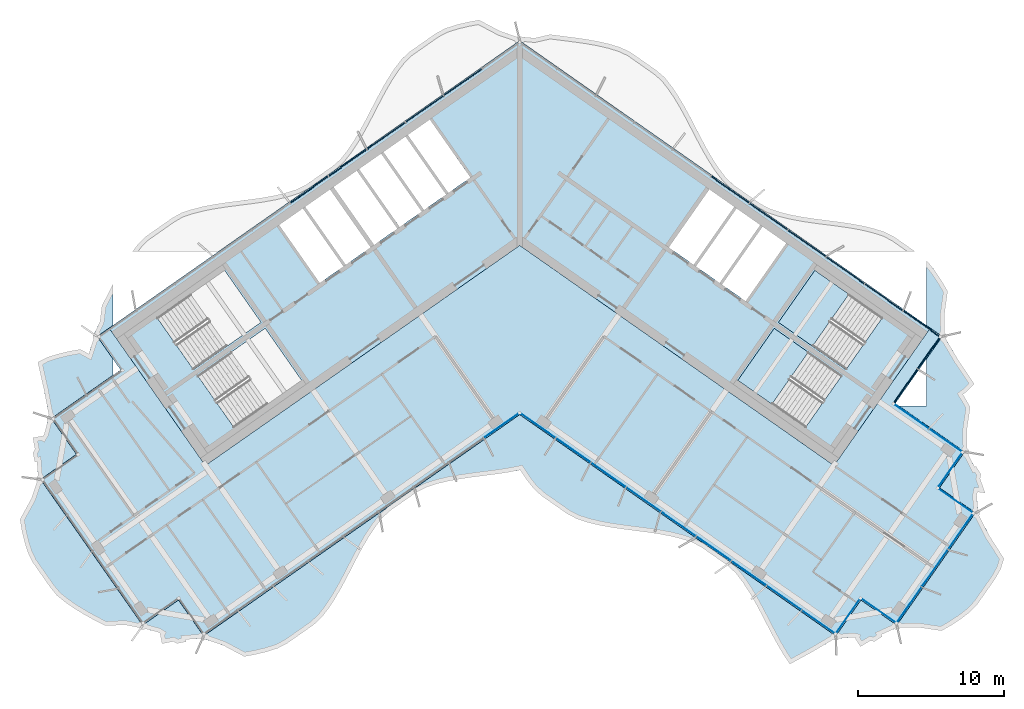
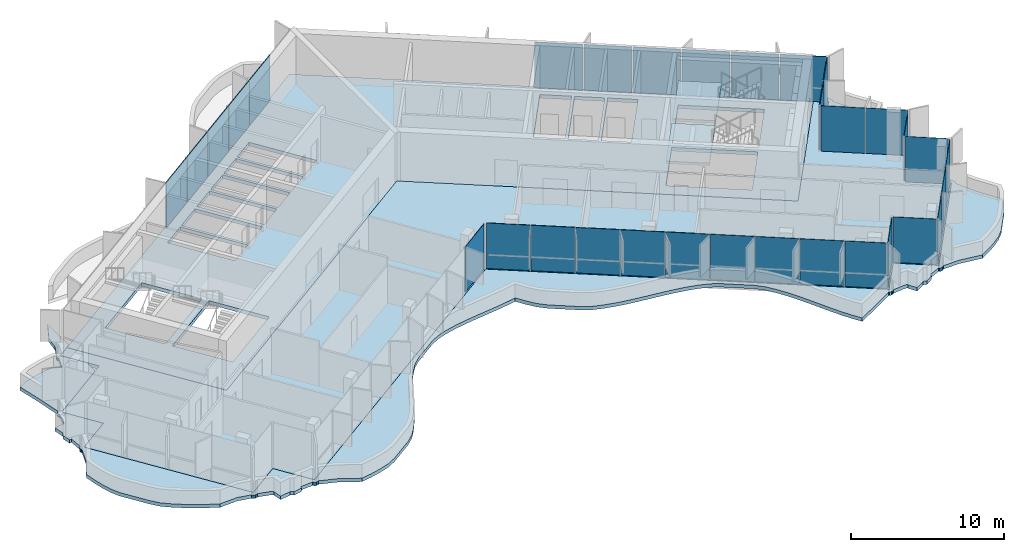
# One storey, part 8 of 18: 32 plates, 5 slabs, 4 elements without a shape of their own.
"""IFC4 building model written with IfcOpenShell, lengths in metres."""

import ifcopenshell
import ifcopenshell.guid

model = None  # the IFC model being written
_history = None  # IfcOwnerHistory: only IFC2X3 demands one
_inside = {}  # id of a spatial element -> (the spatial element, [elements in it])
_under = {}  # id of a project, library or spatial element -> (it, [spatial elements below it])
_declared = {}  # id of a project -> (the project, [libraries it declares])
_typed = {}  # id of a type object -> (the type object, [elements of that type])
_made_of = {}  # id of a material, layer set ... -> (it, [elements and type objects made of it])


def new_model(schema):
    """Start an empty IFC model of exactly this schema.

    Asked for "IFC4X3", IfcOpenShell would pick the latest addendum, in which some entities
    have other attributes; the version numbers below select the first issue.
    IFC2X3 requires an IfcOwnerHistory on every rooted entity: one is made here for all.
    """
    global model, _history
    if schema == "IFC4X3":
        model = ifcopenshell.file(schema_version=(4, 3, 0, 0))
    else:
        model = ifcopenshell.file(schema=schema)
    _inside.clear()
    _under.clear()
    _declared.clear()
    _typed.clear()
    _made_of.clear()
    _history = None
    if model.schema == "IFC2X3":
        org = make("IfcOrganization", Name="unknown")
        user = make(
            "IfcPersonAndOrganization",
            ThePerson=make("IfcPerson", FamilyName="unknown"),
            TheOrganization=org,
        )
        app = make(
            "IfcApplication",
            ApplicationDeveloper=org,
            Version="unknown",
            ApplicationFullName="unknown",
            ApplicationIdentifier="unknown",
        )
        _history = make(
            "IfcOwnerHistory",
            OwningUser=user,
            OwningApplication=app,
            ChangeAction="ADDED",
            CreationDate=0,
        )
    return model


def make(cls, **values):
    """One entity of the class cls with the attributes given. An attribute that is None is left unset."""
    return model.create_entity(
        cls, **{name: value for name, value in values.items() if value is not None}
    )


def rooted(cls, **values):
    """An entity with a GlobalId (a new one), such as an element, a storey or a relation."""
    return make(cls, GlobalId=ifcopenshell.guid.new(), OwnerHistory=_history, **values)


def si_unit(unit_type, name, prefix=None):
    """IfcSIUnit, for example si_unit("LENGTHUNIT", "METRE", prefix="MILLI")."""
    return make("IfcSIUnit", UnitType=unit_type, Prefix=prefix, Name=name)


def assignment(units):
    """IfcUnitAssignment: the units of a project."""
    return None if units is None else make("IfcUnitAssignment", Units=units)


def point(xyz):
    """IfcCartesianPoint."""
    return None if xyz is None else make("IfcCartesianPoint", Coordinates=xyz)


def direction(xyz):
    """IfcDirection."""
    return None if xyz is None else make("IfcDirection", DirectionRatios=xyz)


def frame(location, z_axis=None, x_axis=None):
    """IfcAxis2Placement3D, a coordinate frame: its origin and axes. An axis left out is left unset."""
    return make(
        "IfcAxis2Placement3D",
        Location=point(location),
        Axis=direction(z_axis),
        RefDirection=direction(x_axis),
    )


def frame_2d(location, x_axis=None):
    """IfcAxis2Placement2D, a coordinate frame in the plane: its origin and x axis."""
    return make(
        "IfcAxis2Placement2D", Location=point(location), RefDirection=direction(x_axis)
    )


def origin():
    """The frame at (0, 0, 0) with its axes left unset."""
    return frame((0.0, 0.0, 0.0))


def origin_2d():
    """The frame at (0, 0) in the plane with its x axis left unset."""
    return frame_2d((0.0, 0.0))


def place(relative_to, where):
    """IfcLocalPlacement: puts the frame where relative to a parent placement (None: the world)."""
    return make(
        "IfcLocalPlacement", PlacementRelTo=relative_to, RelativePlacement=where
    )


def context(
    kind, dimensions, precision=None, world=None, true_north=None, identifier=None
):
    """IfcGeometricRepresentationContext, for example the 3D "Model" context."""
    return make(
        "IfcGeometricRepresentationContext",
        ContextIdentifier=identifier,
        ContextType=kind,
        CoordinateSpaceDimension=dimensions,
        Precision=precision,
        WorldCoordinateSystem=world,
        TrueNorth=true_north,
    )


def subcontext(parent, identifier, kind, view, scale=None):
    """IfcGeometricRepresentationSubContext, for example "Body" below "Model"."""
    return make(
        "IfcGeometricRepresentationSubContext",
        ContextIdentifier=identifier,
        ContextType=kind,
        ParentContext=parent,
        TargetScale=scale,
        TargetView=view,
    )


def project(units=None, contexts=None):
    """IfcProject with its units and contexts."""
    return rooted(
        "IfcProject",
        Name="project",
        RepresentationContexts=contexts,
        UnitsInContext=assignment(units),
    )


def spatial(cls, under=None, at=None, **own):
    """A site, building, storey or space (cls), placed at a placement, below another one or the project."""
    s = rooted(cls, ObjectPlacement=at, **own)
    if under is not None:
        _under.setdefault(under.id(), (under, []))[1].append(s)
    return s


def polyline(points):
    """IfcPolyline through the points."""
    return make("IfcPolyline", Points=[point(p) for p in points])


def profile(cls, at=None, kind="AREA", **sizes):
    """A parametric profile (cls). Its sizes go by their IFC names, for example OverallWidth=200.0."""
    return make(cls, ProfileType=kind, Position=at, **sizes)


def rectangle(**sizes):
    """IfcRectangleProfileDef."""
    return profile("IfcRectangleProfileDef", **sizes)


def outline(outer, holes=None, kind="AREA"):
    """IfcArbitraryClosedProfileDef: a profile drawn as a closed curve; with holes, ...WithVoids."""
    if holes is None:
        return make("IfcArbitraryClosedProfileDef", ProfileType=kind, OuterCurve=outer)
    return make(
        "IfcArbitraryProfileDefWithVoids",
        ProfileType=kind,
        OuterCurve=outer,
        InnerCurves=holes,
    )


def extrude(swept, where, along, depth):
    """IfcExtrudedAreaSolid: the profile swept, set in the frame where, extruded along a direction by depth."""
    return make(
        "IfcExtrudedAreaSolid",
        SweptArea=swept,
        Position=where,
        ExtrudedDirection=direction(along),
        Depth=depth,
    )


def shape(context_of_items, identifier, shape_type, items):
    """IfcShapeRepresentation: the items that make up one representation, for example the "Body"."""
    return make(
        "IfcShapeRepresentation",
        ContextOfItems=context_of_items,
        RepresentationIdentifier=identifier,
        RepresentationType=shape_type,
        Items=items,
    )


def material(Name=None, Category=None):
    """IfcMaterial."""
    return make("IfcMaterial", Name=Name, Category=Category)


def layer(
    of_material, thickness, ventilated=None, Name=None, Category=None, Priority=None
):
    """IfcMaterialLayer: one layer of a wall or slab, of a material (None: an air gap)."""
    return make(
        "IfcMaterialLayer",
        Material=of_material,
        LayerThickness=thickness,
        IsVentilated=ventilated,
        Name=Name,
        Category=Category,
        Priority=Priority,
    )


def layer_set(layers, Name=None):
    """IfcMaterialLayerSet."""
    return make("IfcMaterialLayerSet", MaterialLayers=layers, LayerSetName=Name)


def made_of(thing, what):
    """Note that an element or type object is made of a material, layer set ...; save() writes the relation."""
    if what is not None:
        _made_of.setdefault(what.id(), (what, []))[1].append(thing)
    return thing


def type_object(cls, material=None, **own):
    """A type object (cls), such as IfcWallType, which elements share."""
    return made_of(rooted(cls, **own), material)


def element(
    cls,
    number,
    at=None,
    inside=None,
    cuts=None,
    type_object=None,
    material=None,
    context=None,
    identifier="Body",
    shape_type=None,
    held_by="IfcProductDefinitionShape",
    body=None,
    shapes=None,
    **own,
):
    """One element of the class cls, such as IfcWall. Its Tag is "e" and its number.

    at: its placement. inside: the storey or other place that contains it. cuts: it is an
    opening in that element (IfcRelVoidsElement). A single representation is given by context,
    identifier, shape_type and body (its items); several are given by shapes. held_by: the class
    of the entity that holds the representations. save() writes the other relations.
    """
    e = rooted(cls, Tag="e%d" % number, ObjectPlacement=at, **own)
    if body is not None:
        shapes = [shape(context, identifier, shape_type, body)]
    if shapes is not None:
        e.Representation = make(held_by, Representations=shapes)
    if inside is not None:
        _inside.setdefault(inside.id(), (inside, []))[1].append(e)
    if cuts is not None:
        rooted(
            "IfcRelVoidsElement", RelatingBuildingElement=cuts, RelatedOpeningElement=e
        )
    if type_object is not None:
        _typed.setdefault(type_object.id(), (type_object, []))[1].append(e)
    return made_of(e, material)


def aggregate(whole, parts):
    """IfcRelAggregates: a whole, such as a stair, and the parts it consists of."""
    return rooted("IfcRelAggregates", RelatingObject=whole, RelatedObjects=parts)


def save(model, path):
    """Write the relations noted so far, then the file.

    IfcRelAggregates (storeys below a building ...), IfcRelContainedInSpatialStructure (elements
    in a storey), IfcRelDefinesByType, IfcRelAssociatesMaterial and IfcRelDeclares: one each for
    every whole, place, type object, material and project.
    """
    for whole, parts in _under.values():
        aggregate(whole, parts)
    for where, things in _inside.values():
        rooted(
            "IfcRelContainedInSpatialStructure",
            RelatedElements=things,
            RelatingStructure=where,
        )
    for kind, things in _typed.values():
        rooted("IfcRelDefinesByType", RelatedObjects=things, RelatingType=kind)
    for what, things in _made_of.values():
        rooted("IfcRelAssociatesMaterial", RelatedObjects=things, RelatingMaterial=what)
    for by, libraries in _declared.values():
        rooted("IfcRelDeclares", RelatingContext=by, RelatedDefinitions=libraries)
    model.write(path)


model = new_model("IFC4")

# Units and contexts
model_context = context("Model", 3, precision=1e-05, world=origin(), true_north=direction((0.0, 1.0)))
body_context = subcontext(model_context, "Body", "Model", "MODEL_VIEW")
ifc_project = project(units=[si_unit("LENGTHUNIT", "METRE"), si_unit("AREAUNIT", "SQUARE_METRE"), si_unit("VOLUMEUNIT", "CUBIC_METRE"), si_unit("PLANEANGLEUNIT", "RADIAN"), si_unit("MASSUNIT", "GRAM", prefix="KILO")], contexts=[model_context])

# Site, building, storey
site_placement = place(None, origin())
site = spatial("IfcSite", under=ifc_project, at=site_placement, CompositionType="ELEMENT")
building_placement = place(site_placement, origin())
building = spatial("IfcBuilding", under=site, at=building_placement, Name="Tel Ilan Convention Tower", CompositionType="ELEMENT")
storey_placement = place(building_placement, frame((0.0, 0.0, 264.39990234375)))
storey = spatial("IfcBuildingStorey", under=building, at=storey_placement, Name="L62", CompositionType="ELEMENT", Elevation=264.39990234375)

# Curtain wall, plates
ifc_material_1 = material(Name="Aluminium, bronze anodised", Category="aluminium")
curtain_wall_type_1 = type_object("IfcCurtainWallType", Name="CW2 STICK CURTAIN WALL, SPANDREL PANELS", PredefinedType="NOTDEFINED", material=ifc_material_1)
curtain_wall_1_placement = place(storey_placement, origin())
curtain_wall_1 = element("IfcCurtainWall", 1, at=curtain_wall_1_placement, inside=storey, type_object=curtain_wall_type_1, Name="Curtain wall CW2-47.01", PredefinedType="NOTDEFINED")
ifc_material_2 = material(Name="Aluminium composite panel, bronze anodised", Category="aluminium")
ifc_layer_1 = layer(ifc_material_2, 0.06005859375)
ifc_layer_set_1 = layer_set([ifc_layer_1], Name="CW SPANDREL PANEL 60")
plate_type_1 = type_object("IfcPlateType", Name="CW SPANDREL PANEL 60", PredefinedType="CURTAIN_PANEL", material=ifc_layer_set_1)
plate_1_placement = place(storey_placement, frame((26.45947265625, -10.85400390625, 0.0), z_axis=(0.0, 0.0, 1.0), x_axis=(0.573576436351, 0.819152044289, 0.0)))
plate_1 = element("IfcPlate", 2, at=plate_1_placement, type_object=plate_type_1, Name="Spandrel panel", PredefinedType="CURTAIN_PANEL", context=body_context, shape_type="SweptSolid", body=[
    extrude(rectangle(XDim=2.76904296875, YDim=0.06005859375, at=origin_2d()), origin(), (0.0, 0.0, 1.0), 3.6201171875),
])
plate_2_placement = place(storey_placement, frame((28.042236328125, -8.593505859375, 0.0), z_axis=(0.0, 0.0, 1.0), x_axis=(0.573576436351, 0.819152044289, 0.0)))
plate_2 = element("IfcPlate", 3, at=plate_2_placement, type_object=plate_type_1, Name="Spandrel panel", PredefinedType="CURTAIN_PANEL", context=body_context, shape_type="SweptSolid", body=[
    extrude(rectangle(XDim=2.6298828125, YDim=0.06005859375, at=origin_2d()), origin(), (0.0, 0.0, 1.0), 3.6201171875),
])
plate_3_placement = place(storey_placement, frame((27.5400390625, -6.587646484375, 0.0), z_axis=(0.0, 0.0, 1.0), x_axis=(-0.819152044289, 0.573576436351, 0.0)))
plate_3 = element("IfcPlate", 4, at=plate_3_placement, type_object=plate_type_1, Name="Spandrel panel", PredefinedType="CURTAIN_PANEL", context=body_context, shape_type="SweptSolid", body=[
    extrude(rectangle(XDim=3.0439453125, YDim=0.06005859375, at=origin_2d()), origin(), (0.0, 0.0, 1.0), 3.6201171875),
])
plate_4_placement = place(storey_placement, frame((24.95263671875, -4.77587890625, 0.0), z_axis=(0.0, 0.0, 1.0), x_axis=(-0.819152044289, 0.573576436351, 0.0)))
plate_4 = element("IfcPlate", 5, at=plate_4_placement, type_object=plate_type_1, Name="Spandrel panel", PredefinedType="CURTAIN_PANEL", context=body_context, shape_type="SweptSolid", body=[
    extrude(rectangle(XDim=3.15380859375, YDim=0.06005859375, at=origin_2d()), origin(), (0.0, 0.0, 1.0), 3.6201171875),
])
plate_5_placement = place(storey_placement, frame((22.31982421875, -2.9326171875, 0.0), z_axis=(0.0, 0.0, 1.0), x_axis=(-0.819152044289, 0.573576436351, 0.0)))
plate_5 = element("IfcPlate", 6, at=plate_5_placement, type_object=plate_type_1, Name="Spandrel panel", PredefinedType="CURTAIN_PANEL", context=body_context, shape_type="SweptSolid", body=[
    extrude(rectangle(XDim=3.15380859375, YDim=0.06005859375, at=origin_2d()), origin(), (0.0, 0.0, 1.0), 3.6201171875),
])
plate_6_placement = place(storey_placement, frame((19.687255859375, -1.089111328125, 0.0), z_axis=(0.0, 0.0, 1.0), x_axis=(-0.819152044289, 0.573576436351, 0.0)))
plate_6 = element("IfcPlate", 7, at=plate_6_placement, type_object=plate_type_1, Name="Spandrel panel", PredefinedType="CURTAIN_PANEL", context=body_context, shape_type="SweptSolid", body=[
    extrude(rectangle(XDim=3.15380859375, YDim=0.06005859375, at=origin_2d()), origin(), (0.0, 0.0, 1.0), 3.6201171875),
])
plate_7_placement = place(storey_placement, frame((17.0546875, 0.754150390625, 0.0), z_axis=(0.0, 0.0, 1.0), x_axis=(-0.819152044289, 0.573576436351, 0.0)))
plate_7 = element("IfcPlate", 8, at=plate_7_placement, type_object=plate_type_1, Name="Spandrel panel", PredefinedType="CURTAIN_PANEL", context=body_context, shape_type="SweptSolid", body=[
    extrude(rectangle(XDim=3.15380859375, YDim=0.06005859375, at=origin_2d()), origin(), (0.0, 0.0, 1.0), 3.6201171875),
])
plate_8_placement = place(storey_placement, frame((14.422119140625, 2.59765625, 0.0), z_axis=(0.0, 0.0, 1.0), x_axis=(-0.819152044289, 0.573576436351, 0.0)))
plate_8 = element("IfcPlate", 9, at=plate_8_placement, type_object=plate_type_1, Name="Spandrel panel", PredefinedType="CURTAIN_PANEL", context=body_context, shape_type="SweptSolid", body=[
    extrude(rectangle(XDim=3.15380859375, YDim=0.06005859375, at=origin_2d()), origin(), (0.0, 0.0, 1.0), 3.6201171875),
])
plate_9_placement = place(storey_placement, frame((-3.8916015625, 9.97119140625, 0.0), z_axis=(0.0, 0.0, 1.0), x_axis=(-0.819152044289, -0.573576436351, 0.0)))
plate_9 = element("IfcPlate", 10, at=plate_9_placement, type_object=plate_type_1, Name="Spandrel panel", PredefinedType="CURTAIN_PANEL", context=body_context, shape_type="SweptSolid", body=[
    extrude(rectangle(XDim=3.15380859375, YDim=0.06005859375, at=origin_2d()), origin(), (0.0, 0.0, 1.0), 3.6201171875),
])
plate_10_placement = place(storey_placement, frame((-6.524169921875, 8.127685546875, 0.0), z_axis=(0.0, 0.0, 1.0), x_axis=(-0.819152044289, -0.573576436351, 0.0)))
plate_10 = element("IfcPlate", 11, at=plate_10_placement, type_object=plate_type_1, Name="Spandrel panel", PredefinedType="CURTAIN_PANEL", context=body_context, shape_type="SweptSolid", body=[
    extrude(rectangle(XDim=3.15380859375, YDim=0.06005859375, at=origin_2d()), origin(), (0.0, 0.0, 1.0), 3.6201171875),
])
plate_11_placement = place(storey_placement, frame((-9.15673828125, 6.284423828125, 0.0), z_axis=(0.0, 0.0, 1.0), x_axis=(-0.819152044289, -0.573576436351, 0.0)))
plate_11 = element("IfcPlate", 12, at=plate_11_placement, type_object=plate_type_1, Name="Spandrel panel", PredefinedType="CURTAIN_PANEL", context=body_context, shape_type="SweptSolid", body=[
    extrude(rectangle(XDim=3.15380859375, YDim=0.06005859375, at=origin_2d()), origin(), (0.0, 0.0, 1.0), 3.6201171875),
])
plate_12_placement = place(storey_placement, frame((-11.789306640625, 4.44091796875, 0.0), z_axis=(0.0, 0.0, 1.0), x_axis=(-0.819152044289, -0.573576436351, 0.0)))
plate_12 = element("IfcPlate", 13, at=plate_12_placement, type_object=plate_type_1, Name="Spandrel panel", PredefinedType="CURTAIN_PANEL", context=body_context, shape_type="SweptSolid", body=[
    extrude(rectangle(XDim=3.15380859375, YDim=0.06005859375, at=origin_2d()), origin(), (0.0, 0.0, 1.0), 3.6201171875),
])
plate_13_placement = place(storey_placement, frame((-14.422119140625, 2.59765625, 0.0), z_axis=(0.0, 0.0, 1.0), x_axis=(-0.819152044289, -0.573576436351, 0.0)))
plate_13 = element("IfcPlate", 14, at=plate_13_placement, type_object=plate_type_1, Name="Spandrel panel", PredefinedType="CURTAIN_PANEL", context=body_context, shape_type="SweptSolid", body=[
    extrude(rectangle(XDim=3.15380859375, YDim=0.06005859375, at=origin_2d()), origin(), (0.0, 0.0, 1.0), 3.6201171875),
])
aggregate(curtain_wall_1, [plate_1, plate_2, plate_3, plate_4, plate_5, plate_6, plate_7, plate_8, plate_9, plate_10, plate_11, plate_12, plate_13])

ifc_material_3 = material(Name="Aluminium, bronze anodised", Category="aluminium")
curtain_wall_type_2 = type_object("IfcCurtainWallType", Name="CW5 STICK CURTAIN WALL, UPPER OFFICE LOW-IRON TINTED GLASS", PredefinedType="NOTDEFINED", material=ifc_material_3)
curtain_wall_2_placement = place(storey_placement, origin())
curtain_wall_2 = element("IfcCurtainWall", 15, at=curtain_wall_2_placement, inside=storey, type_object=curtain_wall_type_2, Name="Curtain wall CW5-47.02", PredefinedType="NOTDEFINED")
ifc_material_4 = material(Name="Glass, low-iron bronze tinted, two-ply", Category="glass")
ifc_layer_2 = layer(ifc_material_4, 0.031982421875)
ifc_layer_set_2 = layer_set([ifc_layer_2], Name="CW UPPER GLASS PANEL 32")
plate_type_2 = type_object("IfcPlateType", Name="CW UPPER GLASS PANEL 32", PredefinedType="CURTAIN_PANEL", material=ifc_layer_set_2)
plate_14_placement = place(storey_placement, frame((-1.261474609375, -13.579345703125, 0.0), z_axis=(0.0, 0.0, 1.0), x_axis=(0.819152044289, 0.573576436351, 0.0)))
plate_14 = element("IfcPlate", 16, at=plate_14_placement, type_object=plate_type_2, Name="Glass panel", PredefinedType="CURTAIN_PANEL", context=body_context, shape_type="SweptSolid", body=[
    extrude(rectangle(XDim=2.877685546875, YDim=0.028076171875, at=origin_2d()), origin(), (0.0, 0.0, 1.0), 3.6201171875),
])
plate_15_placement = place(storey_placement, frame((1.27294921875, -13.58740234375, 0.0), z_axis=(0.0, 0.0, 1.0), x_axis=(0.819152044289, -0.573576436351, 0.0)))
plate_15 = element("IfcPlate", 17, at=plate_15_placement, type_object=plate_type_2, Name="Glass panel", PredefinedType="CURTAIN_PANEL", context=body_context, shape_type="SweptSolid", body=[
    extrude(rectangle(XDim=2.849609375, YDim=0.028076171875, at=origin_2d()), origin(), (0.0, 0.0, 1.0), 3.6201171875),
])
plate_16_placement = place(storey_placement, frame((3.668212890625, -15.264404296875, 0.0), z_axis=(0.0, 0.0, 1.0), x_axis=(0.819152044289, -0.573576436351, 0.0)))
plate_16 = element("IfcPlate", 18, at=plate_16_placement, type_object=plate_type_2, Name="Glass panel", PredefinedType="CURTAIN_PANEL", context=body_context, shape_type="SweptSolid", body=[
    extrude(rectangle(XDim=2.878662109375, YDim=0.028076171875, at=origin_2d()), origin(), (0.0, 0.0, 1.0), 3.6201171875),
])
plate_17_placement = place(storey_placement, frame((6.075439453125, -16.949951171875, 0.0), z_axis=(0.0, 0.0, 1.0), x_axis=(0.819152044289, -0.573576436351, 0.0)))
plate_17 = element("IfcPlate", 19, at=plate_17_placement, type_object=plate_type_2, Name="Glass panel", PredefinedType="CURTAIN_PANEL", context=body_context, shape_type="SweptSolid", body=[
    extrude(rectangle(XDim=2.878662109375, YDim=0.028076171875, at=origin_2d()), origin(), (0.0, 0.0, 1.0), 3.6201171875),
])
plate_18_placement = place(storey_placement, frame((8.482666015625, -18.635498046875, 0.0), z_axis=(0.0, 0.0, 1.0), x_axis=(0.819152044289, -0.573576436351, 0.0)))
plate_18 = element("IfcPlate", 20, at=plate_18_placement, type_object=plate_type_2, Name="Glass panel", PredefinedType="CURTAIN_PANEL", context=body_context, shape_type="SweptSolid", body=[
    extrude(rectangle(XDim=2.878662109375, YDim=0.028076171875, at=origin_2d()), origin(), (0.0, 0.0, 1.0), 3.6201171875),
])
plate_19_placement = place(storey_placement, frame((10.8896484375, -20.321044921875, 0.0), z_axis=(0.0, 0.0, 1.0), x_axis=(0.819152044289, -0.573576436351, 0.0)))
plate_19 = element("IfcPlate", 21, at=plate_19_placement, type_object=plate_type_2, Name="Glass panel", PredefinedType="CURTAIN_PANEL", context=body_context, shape_type="SweptSolid", body=[
    extrude(rectangle(XDim=2.878662109375, YDim=0.028076171875, at=origin_2d()), origin(), (0.0, 0.0, 1.0), 3.6201171875),
])
plate_20_placement = place(storey_placement, frame((13.296875, -22.006591796875, 0.0), z_axis=(0.0, 0.0, 1.0), x_axis=(0.819152044289, -0.573576436351, 0.0)))
plate_20 = element("IfcPlate", 22, at=plate_20_placement, type_object=plate_type_2, Name="Glass panel", PredefinedType="CURTAIN_PANEL", context=body_context, shape_type="SweptSolid", body=[
    extrude(rectangle(XDim=2.878662109375, YDim=0.028076171875, at=origin_2d()), origin(), (0.0, 0.0, 1.0), 3.6201171875),
])
plate_21_placement = place(storey_placement, frame((15.7041015625, -23.692138671875, 0.0), z_axis=(0.0, 0.0, 1.0), x_axis=(0.819152044289, -0.573576436351, 0.0)))
plate_21 = element("IfcPlate", 23, at=plate_21_placement, type_object=plate_type_2, Name="Glass panel", PredefinedType="CURTAIN_PANEL", context=body_context, shape_type="SweptSolid", body=[
    extrude(rectangle(XDim=2.878662109375, YDim=0.028076171875, at=origin_2d()), origin(), (0.0, 0.0, 1.0), 3.6201171875),
])
plate_22_placement = place(storey_placement, frame((18.111328125, -25.377685546875, 0.0), z_axis=(0.0, 0.0, 1.0), x_axis=(0.819152044289, -0.573576436351, 0.0)))
plate_22 = element("IfcPlate", 24, at=plate_22_placement, type_object=plate_type_2, Name="Glass panel", PredefinedType="CURTAIN_PANEL", context=body_context, shape_type="SweptSolid", body=[
    extrude(rectangle(XDim=2.878662109375, YDim=0.028076171875, at=origin_2d()), origin(), (0.0, 0.0, 1.0), 3.6201171875),
])
plate_23_placement = place(storey_placement, frame((20.47998046875, -27.036376953125, 0.0), z_axis=(0.0, 0.0, 1.0), x_axis=(0.819152044289, -0.573576436351, 0.0)))
plate_23 = element("IfcPlate", 25, at=plate_23_placement, type_object=plate_type_2, Name="Glass panel", PredefinedType="CURTAIN_PANEL", context=body_context, shape_type="SweptSolid", body=[
    extrude(rectangle(XDim=2.78466796875, YDim=0.028076171875, at=origin_2d()), origin(), (0.0, 0.0, 1.0), 3.6201171875),
])
plate_24_placement = place(storey_placement, frame((22.478515625, -26.651611328125, 0.0), z_axis=(0.0, 0.0, 1.0), x_axis=(0.573576436351, 0.819152044289, 0.0)))
plate_24 = element("IfcPlate", 26, at=plate_24_placement, type_object=plate_type_2, Name="Glass panel", PredefinedType="CURTAIN_PANEL", context=body_context, shape_type="SweptSolid", body=[
    extrude(rectangle(XDim=2.875, YDim=0.028076171875, at=origin_2d()), origin(), (0.0, 0.0, 1.0), 3.6201171875),
])
plate_25_placement = place(storey_placement, frame((24.621337890625, -26.273681640625, 0.0), z_axis=(0.0, 0.0, 1.0), x_axis=(0.819152044289, -0.573576436351, 0.0)))
plate_25 = element("IfcPlate", 27, at=plate_25_placement, type_object=plate_type_2, Name="Glass panel", PredefinedType="CURTAIN_PANEL", context=body_context, shape_type="SweptSolid", body=[
    extrude(rectangle(XDim=2.875, YDim=0.028076171875, at=origin_2d()), origin(), (0.0, 0.0, 1.0), 3.6201171875),
])
plate_26_placement = place(storey_placement, frame((26.6865234375, -25.8720703125, 0.0), z_axis=(0.0, 0.0, 1.0), x_axis=(0.573576436351, 0.819152044289, 0.0)))
plate_26 = element("IfcPlate", 28, at=plate_26_placement, type_object=plate_type_2, Name="Glass panel", PredefinedType="CURTAIN_PANEL", context=body_context, shape_type="SweptSolid", body=[
    extrude(rectangle(XDim=2.979248046875, YDim=0.028076171875, at=origin_2d()), origin(), (0.0, 0.0, 1.0), 3.6201171875),
])
plate_27_placement = place(storey_placement, frame((28.456787109375, -23.343994140625, 0.0), z_axis=(0.0, 0.0, 1.0), x_axis=(0.573576436351, 0.819152044289, 0.0)))
plate_27 = element("IfcPlate", 29, at=plate_27_placement, type_object=plate_type_2, Name="Glass panel", PredefinedType="CURTAIN_PANEL", context=body_context, shape_type="SweptSolid", body=[
    extrude(rectangle(XDim=3.0732421875, YDim=0.028076171875, at=origin_2d()), origin(), (0.0, 0.0, 1.0), 3.6201171875),
])
plate_28_placement = place(storey_placement, frame((30.22705078125, -20.815673828125, 0.0), z_axis=(0.0, 0.0, 1.0), x_axis=(0.573576436351, 0.819152044289, 0.0)))
plate_28 = element("IfcPlate", 30, at=plate_28_placement, type_object=plate_type_2, Name="Glass panel", PredefinedType="CURTAIN_PANEL", context=body_context, shape_type="SweptSolid", body=[
    extrude(rectangle(XDim=2.979248046875, YDim=0.028076171875, at=origin_2d()), origin(), (0.0, 0.0, 1.0), 3.6201171875),
])
plate_29_placement = place(storey_placement, frame((29.898193359375, -18.737548828125, 0.0), z_axis=(0.0, 0.0, 1.0), x_axis=(-0.819152044289, 0.573576436351, 0.0)))
plate_29 = element("IfcPlate", 31, at=plate_29_placement, type_object=plate_type_2, Name="Glass panel", PredefinedType="CURTAIN_PANEL", context=body_context, shape_type="SweptSolid", body=[
    extrude(rectangle(XDim=2.875, YDim=0.028076171875, at=origin_2d()), origin(), (0.0, 0.0, 1.0), 3.6201171875),
])
plate_30_placement = place(storey_placement, frame((29.520263671875, -16.5947265625, 0.0), z_axis=(0.0, 0.0, 1.0), x_axis=(0.573576436351, 0.819152044289, 0.0)))
plate_30 = element("IfcPlate", 32, at=plate_30_placement, type_object=plate_type_2, Name="Glass panel", PredefinedType="CURTAIN_PANEL", context=body_context, shape_type="SweptSolid", body=[
    extrude(rectangle(XDim=2.875, YDim=0.028076171875, at=origin_2d()), origin(), (0.0, 0.0, 1.0), 3.6201171875),
])
plate_31_placement = place(storey_placement, frame((29.21435546875, -14.59619140625, 0.0), z_axis=(0.0, 0.0, 1.0), x_axis=(-0.819152044289, 0.573576436351, 0.0)))
plate_31 = element("IfcPlate", 33, at=plate_31_placement, type_object=plate_type_2, Name="Glass panel", PredefinedType="CURTAIN_PANEL", context=body_context, shape_type="SweptSolid", body=[
    extrude(rectangle(XDim=2.74609375, YDim=0.028076171875, at=origin_2d()), origin(), (0.0, 0.0, 1.0), 3.6201171875),
])
plate_32_placement = place(storey_placement, frame((26.865234375, -12.95166015625, 0.0), z_axis=(0.0, 0.0, 1.0), x_axis=(-0.819152044289, 0.573576436351, 0.0)))
plate_32 = element("IfcPlate", 34, at=plate_32_placement, type_object=plate_type_2, Name="Glass panel", PredefinedType="CURTAIN_PANEL", context=body_context, shape_type="SweptSolid", body=[
    extrude(rectangle(XDim=2.868896484375, YDim=0.028076171875, at=origin_2d()), origin(), (0.0, 0.0, 1.0), 3.6201171875),
])
aggregate(curtain_wall_2, [plate_14, plate_15, plate_16, plate_17, plate_18, plate_19, plate_20, plate_21, plate_22, plate_23, plate_24, plate_25, plate_26, plate_27, plate_28, plate_29, plate_30, plate_31, plate_32])

# Stair, slab
ifc_material_5 = material(Name="Concrete C40/50", Category="concrete")
stair_type = type_object("IfcStairType", Name="Pressurised Exit Stair 22 risers 177 mm", PredefinedType="HALF_TURN_STAIR", material=ifc_material_5)
stair_1_placement = place(storey_placement, origin())
stair_1 = element("IfcStair", 35, at=stair_1_placement, inside=storey, type_object=stair_type, Name="L62 Pressurised Stair S3", PredefinedType="HALF_TURN_STAIR")
ifc_material_6 = material(Name="Concrete C40/50", Category="concrete")
ifc_layer_3 = layer(ifc_material_6, 0.199951171875)
ifc_layer_set_3 = layer_set([ifc_layer_3], Name="Concrete Stair Landing 200 mm C40/50")
slab_type_1 = type_object("IfcSlabType", Name="Concrete Stair Landing 200 mm", PredefinedType="LANDING", material=ifc_layer_set_3)
slab_1_placement = place(storey_placement, frame((0.0, 0.0, 1.75)))
slab_1 = element("IfcSlab", 36, at=slab_1_placement, type_object=slab_type_1, Name="S3 landing 1", PredefinedType="LANDING", context=body_context, shape_type="SweptSolid", body=[
    extrude(outline(polyline([(22.561767578125, -4.566650390625), (20.226318359375, -2.931640625), (17.7314453125, -6.494873046875), (20.066650390625, -8.130126953125), (22.561767578125, -4.566650390625)])), origin(), (0.0, 0.0, 1.0), 0.2001953125),
])
aggregate(stair_1, [slab_1])

stair_2_placement = place(storey_placement, origin())
stair_2 = element("IfcStair", 37, at=stair_2_placement, inside=storey, type_object=stair_type, Name="L62 Pressurised Stair S4", PredefinedType="HALF_TURN_STAIR")
slab_2_placement = place(storey_placement, frame((0.0, 0.0, 1.75)))
slab_2 = element("IfcSlab", 38, at=slab_2_placement, type_object=slab_type_1, Name="S4 landing 1", PredefinedType="LANDING", context=body_context, shape_type="SweptSolid", body=[
    extrude(outline(polyline([(19.77978515625, -8.53955078125), (17.444580078125, -6.904541015625), (14.949462890625, -10.4677734375), (17.28466796875, -12.10302734375), (19.77978515625, -8.53955078125)])), origin(), (0.0, 0.0, 1.0), 0.2001953125),
])
aggregate(stair_2, [slab_2])

# Slabs
ifc_material_7 = material(Name="Concrete C40/50", Category="concrete")
ifc_layer_4 = layer(ifc_material_7, 0.280029296875)
ifc_layer_set_4 = layer_set([ifc_layer_4], Name="Core Floor Slab 280 mm C40/50")
slab_type_2 = type_object("IfcSlabType", Name="Core Floor Slab 280 mm C40/50", PredefinedType="FLOOR", material=ifc_layer_set_4)
slab_3_placement = place(storey_placement, frame((0.0, 0.0, -0.27978515625)))
element("IfcSlab", 39, at=slab_3_placement, inside=storey, type_object=slab_type_2, Name="L62 core floor 1", PredefinedType="FLOOR", context=body_context, shape_type="SweptSolid", body=[
    extrude(outline(polyline([(-28.1396484375, -6.885498046875), (0.0, 12.818115234375), (28.1396484375, -6.885498046875), (21.54345703125, -16.3056640625), (0.0, -1.220703125), (-21.54345703125, -16.3056640625), (-28.1396484375, -6.885498046875)]), holes=[polyline([(-17.444580078125, -6.904541015625), (-22.072021484375, -10.144775390625), (-19.5771484375, -13.7080078125), (-14.949462890625, -10.4677734375), (-17.444580078125, -6.904541015625)]), polyline([(-17.7314453125, -6.494873046875), (-20.226318359375, -2.931640625), (-24.85400390625, -6.171875), (-22.35888671875, -9.735107421875), (-17.7314453125, -6.494873046875)]), polyline([(-14.864990234375, 1.310791015625), (-16.48291015625, 0.177978515625), (-13.701171875, -3.794921875), (-12.083251953125, -2.662109375), (-14.864990234375, 1.310791015625)]), polyline([(-14.701416015625, 1.425537109375), (-11.91943359375, -2.54736328125), (-10.2197265625, -1.357421875), (-13.001708984375, 2.615478515625), (-14.701416015625, 1.425537109375)]), polyline([(-11.168701171875, 3.89892578125), (-12.755859375, 2.78759765625), (-9.97412109375, -1.185302734375), (-8.386962890625, -0.073974609375), (-11.168701171875, 3.89892578125)]), polyline([(-9.499755859375, 5.067626953125), (-11.0048828125, 4.013671875), (-8.222900390625, 0.040771484375), (-6.718017578125, 1.0947265625), (-9.499755859375, 5.067626953125)]), polyline([(-9.3359375, 5.182373046875), (-6.553955078125, 1.20947265625), (-5.048828125, 2.263427734375), (-7.830810546875, 6.236328125), (-9.3359375, 5.182373046875)]), polyline([(17.444580078125, -6.904541015625), (14.949462890625, -10.4677734375), (19.5771484375, -13.7080078125), (22.072021484375, -10.144775390625), (17.444580078125, -6.904541015625)]), polyline([(20.226318359375, -2.931640625), (17.7314453125, -6.494873046875), (22.35888671875, -9.735107421875), (24.85400390625, -6.171875), (20.226318359375, -2.931640625)]), polyline([(15.48291015625, -5.04248046875), (18.2646484375, -1.069580078125), (16.646728515625, 0.063232421875), (13.864990234375, -3.90966796875), (15.48291015625, -5.04248046875)]), polyline([(13.701171875, -3.794921875), (16.48291015625, 0.177978515625), (14.864990234375, 1.310791015625), (12.083251953125, -2.662109375), (13.701171875, -3.794921875)]), polyline([(11.91943359375, -2.54736328125), (14.701416015625, 1.425537109375), (13.001708984375, 2.615478515625), (10.2197265625, -1.357421875), (11.91943359375, -2.54736328125)]), polyline([(-6.16162109375, 7.405029296875), (-7.666748046875, 6.35107421875), (-4.885009765625, 2.378173828125), (-3.3798828125, 3.43212890625), (-6.16162109375, 7.405029296875)])]), origin(), (0.0, 0.0, 1.0), 0.27978515625),
])
ifc_material_8 = material(Name="Concrete C40/50", Category="concrete")
ifc_layer_5 = layer(ifc_material_8, 0.280029296875)
ifc_layer_set_5 = layer_set([ifc_layer_5], Name="Edge Ledge Slab 280 mm C40/50")
slab_type_3 = type_object("IfcSlabType", Name="Edge Ledge Slab 280 mm C40/50", PredefinedType="FLOOR", material=ifc_layer_set_5)
slab_4_placement = place(storey_placement, frame((0.0, 0.0, -0.27978515625)))
element("IfcSlab", 40, at=slab_4_placement, inside=storey, type_object=slab_type_3, Name="L62 edge ledge 1", PredefinedType="FLOOR", context=body_context, shape_type="SweptSolid", body=[
    extrude(outline(polyline([(-22.855224609375, -28.3798828125), (-23.49462890625, -28.5126953125), (-23.728759765625, -28.3701171875), (-24.51416015625, -28.518310546875), (-24.64697265625, -27.87890625), (-24.61669921875, -27.8291015625), (-24.7724609375, -27.73388671875), (-25.6708984375, -27.4970703125), (-25.67431640625, -27.4921875), (-25.728271484375, -27.5283203125), (-25.843017578125, -27.55126953125), (-25.957763671875, -27.5283203125), (-26.05517578125, -27.46337890625), (-26.083984375, -27.420166015625), (-26.088623046875, -27.42333984375), (-27.05419921875, -27.223388671875), (-28.398193359375, -27.288330078125), (-29.12353515625, -26.920166015625), (-29.82373046875, -26.5341796875), (-30.49462890625, -26.1279296875), (-31.125732421875, -25.69384765625), (-31.707763671875, -25.22509765625), (-32.166748046875, -24.670654296875), (-33.401611328125, -22.906982421875), (-33.7158203125, -22.2509765625), (-33.940185546875, -21.531982421875), (-34.1181640625, -20.780517578125), (-34.248779296875, -19.995849609375), (-33.47021484375, -18.574462890625), (-33.08642578125, -17.4296875), (-33.081787109375, -17.426513671875), (-33.117919921875, -17.372314453125), (-33.140625, -17.257568359375), (-33.117919921875, -17.142822265625), (-33.052734375, -17.04541015625), (-33.009521484375, -17.0166015625), (-33.0126953125, -17.011962890625), (-33.085693359375, -16.03955078125), (-33.232666015625, -16.067138671875), (-33.365478515625, -15.427490234375), (-33.22265625, -15.193603515625), (-33.370849609375, -14.408203125), (-32.7314453125, -14.275390625), (-32.681640625, -14.3056640625), (-32.586669921875, -14.14990234375), (-32.349609375, -13.25146484375), (-32.344970703125, -13.248291015625), (-32.381103515625, -13.194091796875), (-32.40380859375, -13.079345703125), (-32.381103515625, -12.964599609375), (-32.31591796875, -12.8671875), (-32.272705078125, -12.83837890625), (-32.27587890625, -12.833740234375), (-32.6083984375, -11.094970703125), (-33.031982421875, -9.225830078125), (-32.382080078125, -8.890380859375), (-31.6572265625, -8.661376953125), (-30.899169921875, -8.47998046875), (-30.110107421875, -8.3427734375), (-29.537353515625, -8.652587890625), (-29.20458984375, -7.631103515625), (-29.199951171875, -7.6279296875), (-29.236083984375, -7.57373046875), (-29.2587890625, -7.458984375), (-29.236083984375, -7.34423828125), (-29.1708984375, -7.246826171875), (-29.127685546875, -7.218017578125), (-29.130859375, -7.21337890625), (-28.772216796875, -6.441650390625), (-28.635009765625, -5.353515625), (-28.252685546875, -4.614990234375), (-27.875, -3.881103515625), (-27.875, -6.7001953125), (-28.958740234375, -7.458984375), (-27.875, -9.007080078125), (-27.875, -10.1181640625), (-32.10400390625, -13.079345703125), (-30.383056640625, -15.536865234375), (-32.840576171875, -17.257568359375), (-25.843017578125, -27.251220703125), (-23.385498046875, -25.530517578125), (-21.664794921875, -27.988037109375), (0.0, -12.818115234375), (21.664794921875, -27.988037109375), (23.385498046875, -25.530517578125), (25.843017578125, -27.251220703125), (31.234619140625, -19.55126953125), (28.777099609375, -17.83056640625), (30.497802734375, -15.373046875), (26.023681640625, -12.239990234375), (27.875, -12.239990234375), (27.875, -9.007080078125), (28.958740234375, -7.458984375), (27.875, -6.7001953125), (27.875, -2.269287109375), (28.0107421875, -2.392578125), (28.48388671875, -3.001220703125), (28.922119140625, -3.6591796875), (29.331298828125, -4.35888671875), (29.109619140625, -5.95947265625), (29.130859375, -7.21337890625), (29.127685546875, -7.218017578125), (29.1708984375, -7.246826171875), (29.236083984375, -7.34423828125), (29.2587890625, -7.458984375), (29.236083984375, -7.57373046875), (29.199951171875, -7.6279296875), (29.20458984375, -7.631103515625), (30.056640625, -9.082275390625), (31.151123046875, -10.703125), (30.66748046875, -11.218994140625), (30.3720703125, -11.4404296875), (30.48095703125, -11.605224609375), (30.879638671875, -12.2998046875), (30.642822265625, -13.902099609375), (30.669921875, -15.127197265625), (30.666748046875, -15.132080078125), (30.7099609375, -15.160888671875), (30.77490234375, -15.25830078125), (30.7978515625, -15.373046875), (30.77490234375, -15.48779296875), (30.739013671875, -15.541748046875), (30.74365234375, -15.545166015625), (31.182861328125, -16.411376953125), (31.2734375, -16.357666015625), (31.616943359375, -16.9130859375), (31.555419921875, -17.218994140625), (31.9052734375, -18.189697265625), (31.373779296875, -18.122802734375), (31.322021484375, -18.380126953125), (31.40673828125, -19.305419921875), (31.4033203125, -19.31005859375), (31.44677734375, -19.339111328125), (31.51171875, -19.436279296875), (31.53466796875, -19.55126953125), (31.51171875, -19.666015625), (31.4755859375, -19.719970703125), (31.480224609375, -19.723388671875), (32.166015625, -21.086181640625), (33.192138671875, -22.687255859375), (32.962646484375, -23.409423828125), (32.6064453125, -24.042724609375), (31.3623046875, -25.819580078125), (30.856201171875, -26.347900390625), (30.25439453125, -26.809326171875), (29.60546875, -27.237548828125), (28.91162109375, -27.634521484375), (27.309326171875, -27.395263671875), (26.088623046875, -27.42333984375), (26.083984375, -27.420166015625), (26.05517578125, -27.46337890625), (25.957763671875, -27.5283203125), (25.843017578125, -27.55126953125), (25.728271484375, -27.5283203125), (25.67431640625, -27.4921875), (25.6708984375, -27.4970703125), (24.7822265625, -27.898193359375), (24.8583984375, -28.02685546875), (24.302978515625, -28.3701171875), (24.0341796875, -28.31640625), (23.3466796875, -28.72412109375), (23.00341796875, -28.168701171875), (23.0146484375, -28.111328125), (22.835693359375, -28.075439453125), (21.910400390625, -28.16015625), (21.906005859375, -28.15673828125), (21.876953125, -28.2001953125), (21.779541015625, -28.26513671875), (21.664794921875, -28.2880859375), (21.550048828125, -28.26513671875), (21.49609375, -28.22900390625), (21.49267578125, -28.233642578125), (19.969482421875, -29.128173828125), (18.5185546875, -29.919677734375), (18.077880859375, -29.268310546875), (17.6669921875, -28.573974609375), (17.27587890625, -27.851806640625), (16.894775390625, -27.115234375), (16.51416015625, -26.377685546875), (16.12451171875, -25.653564453125), (15.71630859375, -24.955810546875), (15.28125, -24.29638671875), (14.811767578125, -23.685791015625), (14.27099609375, -23.177001953125), (12.4658203125, -21.9130859375), (11.811767578125, -21.56591796875), (11.080810546875, -21.329345703125), (10.314697265625, -21.142333984375), (9.521240234375, -20.99462890625), (8.70849609375, -20.87451171875), (7.885986328125, -20.7685546875), (7.06298828125, -20.6630859375), (6.24951171875, -20.5439453125), (5.45458984375, -20.398193359375), (4.68701171875, -20.213623046875), (3.953857421875, -19.979736328125), (3.2939453125, -19.6416015625), (1.488525390625, -18.377197265625), (0.94189453125, -17.877197265625), (0.470458984375, -17.269775390625), (0.03369140625, -16.61279296875), (0.033203125, -16.6123046875), (-0.023681640625, -16.626708984375), (-0.816650390625, -16.775146484375), (-1.62890625, -16.895751953125), (-2.45166015625, -17.001953125), (-3.274658203125, -17.107421875), (-4.08837890625, -17.225830078125), (-4.8837890625, -17.370849609375), (-5.65234375, -17.55419921875), (-6.386474609375, -17.78662109375), (-7.049560546875, -18.12060546875), (-8.85498046875, -19.384521484375), (-9.404541015625, -19.880615234375), (-9.877197265625, -20.486572265625), (-10.314697265625, -21.142333984375), (-10.724853515625, -21.83740234375), (-11.11572265625, -22.56005859375), (-11.49658203125, -23.296875), (-11.877197265625, -24.0341796875), (-12.267333984375, -24.7578125), (-12.67626953125, -25.454833984375), (-13.1123046875, -26.113037109375), (-13.582763671875, -26.721923828125), (-14.12646484375, -27.226318359375), (-15.931884765625, -28.490478515625), (-16.588623046875, -28.833251953125), (-17.32080078125, -29.068603515625), (-18.08740234375, -29.25439453125), (-18.88330078125, -29.3984375), (-20.311279296875, -28.64013671875), (-21.49267578125, -28.233642578125), (-21.49609375, -28.22900390625), (-21.550048828125, -28.26513671875), (-21.664794921875, -28.2880859375), (-21.779541015625, -28.26513671875), (-21.876953125, -28.2001953125), (-21.906005859375, -28.15673828125), (-21.910400390625, -28.16015625), (-22.8828125, -28.233154296875), (-22.855224609375, -28.3798828125)])), origin(), (0.0, 0.0, 1.0), 0.27978515625),
])
ifc_material_9 = material(Name="Concrete C40/50", Category="concrete")
ifc_layer_6 = layer(ifc_material_9, 0.280029296875)
ifc_layer_set_6 = layer_set([ifc_layer_6], Name="Flat Plate Floor Slab 280 mm C40/50")
slab_type_4 = type_object("IfcSlabType", Name="Flat Plate Floor Slab 280 mm C40/50", PredefinedType="FLOOR", material=ifc_layer_set_6)
slab_5_placement = place(storey_placement, frame((0.0, 0.0, -0.27978515625)))
element("IfcSlab", 41, at=slab_5_placement, inside=storey, type_object=slab_type_4, Name="L62 floor slab", PredefinedType="FLOOR", context=body_context, shape_type="SweptSolid", body=[
    extrude(outline(polyline([(21.54345703125, -16.3056640625), (28.1396484375, -6.885498046875), (28.958740234375, -7.458984375), (25.746826171875, -12.04638671875), (30.497802734375, -15.373046875), (28.777099609375, -17.83056640625), (31.234619140625, -19.55126953125), (25.843017578125, -27.251220703125), (23.385498046875, -25.530517578125), (21.664794921875, -27.988037109375), (0.0, -12.818115234375), (-21.664794921875, -27.988037109375), (-23.385498046875, -25.530517578125), (-25.843017578125, -27.251220703125), (-32.840576171875, -17.257568359375), (-30.383056640625, -15.536865234375), (-32.10400390625, -13.079345703125), (-27.352783203125, -9.752685546875), (-28.958740234375, -7.458984375), (-28.1396484375, -6.885498046875), (-21.54345703125, -16.3056640625), (0.0, -1.220703125), (21.54345703125, -16.3056640625)])), origin(), (0.0, 0.0, 1.0), 0.27978515625),
])

save(model, "model.ifc")
